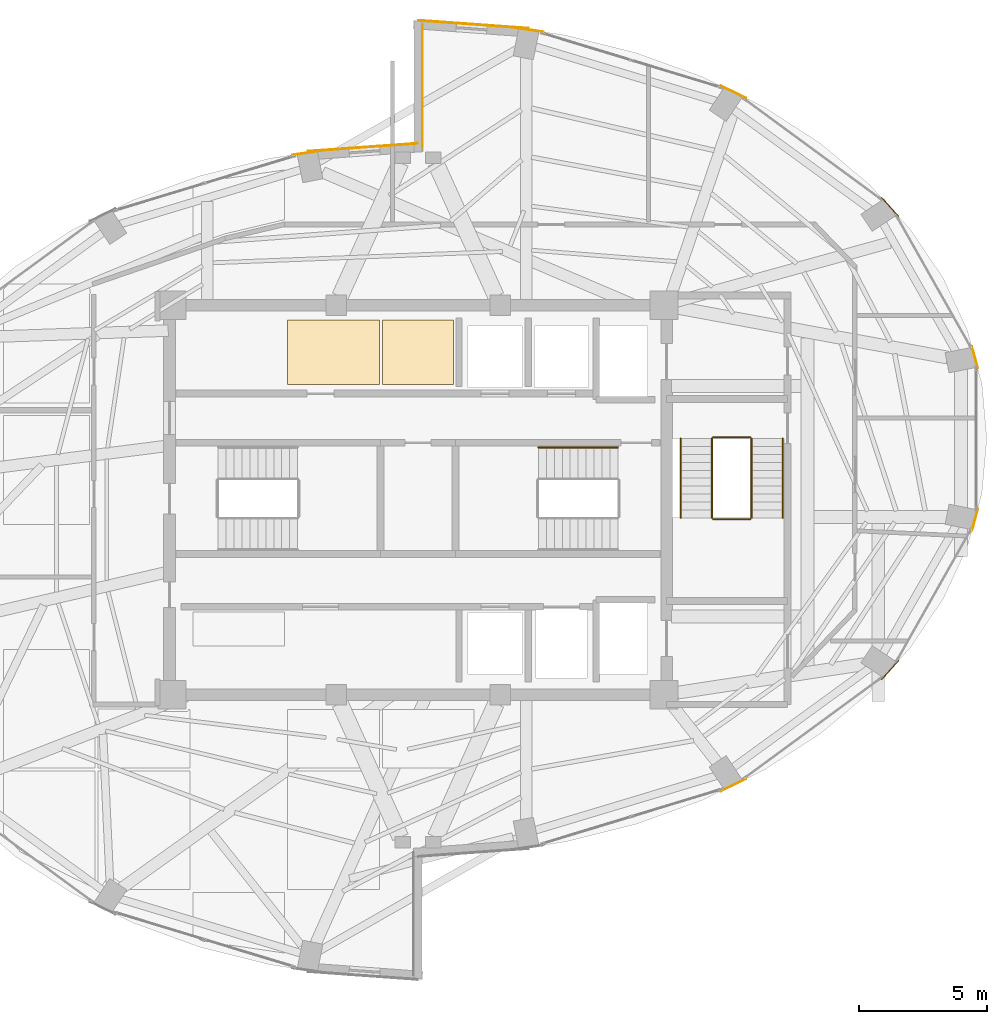
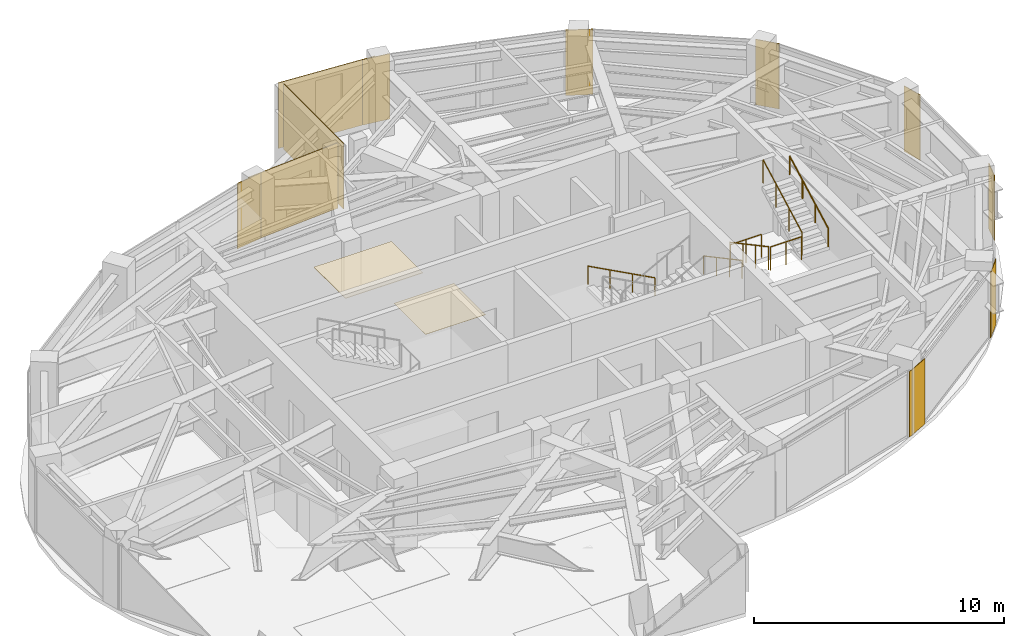
# One storey, part 23 of 23: 13 coverings, 7 railings.
"""IFC4 building model written with IfcOpenShell, lengths in metres."""

from ifc_helpers import new_model, si_unit, direction, frame, origin, origin_2d, place, context, subcontext, project, spatial, polyline, rectangle, circle, outline, extrude, material, layer, layer_set, type_object, element, save


model = new_model("IFC4")

# Units and contexts
model_context = context("Model", 3, precision=1e-05, world=origin(), true_north=direction((0.0, 1.0)))
body_context = subcontext(model_context, "Body", "Model", "MODEL_VIEW")
ifc_project = project(units=[si_unit("LENGTHUNIT", "METRE"), si_unit("AREAUNIT", "SQUARE_METRE"), si_unit("VOLUMEUNIT", "CUBIC_METRE"), si_unit("PLANEANGLEUNIT", "RADIAN"), si_unit("MASSUNIT", "GRAM", prefix="KILO")], contexts=[model_context])

# Site, building, storey
site_placement = place(None, origin())
site = spatial("IfcSite", under=ifc_project, at=site_placement, CompositionType="ELEMENT")
building_placement = place(site_placement, origin())
building = spatial("IfcBuilding", under=site, at=building_placement, Name="Lazwardi Medical Tower", CompositionType="ELEMENT")
storey_placement = place(building_placement, frame((0.0, 0.0, 265.968017578125)))
storey = spatial("IfcBuildingStorey", under=building, at=storey_placement, Name="L69", CompositionType="ELEMENT", Elevation=265.968017578125)

# Coverings
ifc_material_1 = material(Name="Anodised bronze aluminium cassette cladding", Category="aluminium")
ifc_layer_1 = layer(ifc_material_1, 0.030029296875)
ifc_layer_set_1 = layer_set([ifc_layer_1], Name="Anodised bronze aluminium cassette cladding")
covering_type_1 = type_object("IfcCoveringType", Name="COV-CLD-BRZ", PredefinedType="CLADDING", material=ifc_layer_set_1)
covering_1_placement = place(storey_placement, frame((48.311279296875, 16.878662109375, 0.0), z_axis=(0.0, 0.0, 1.0), x_axis=(0.897840141691, 0.440321564278, 0.0)))
element("IfcCovering", 1, at=covering_1_placement, inside=storey, type_object=covering_type_1, Name="L69 Mega-column bronze cassette cover M02", PredefinedType="CLADDING", context=body_context, shape_type="SweptSolid", body=[
    extrude(rectangle(XDim=1.110595703125, YDim=0.030029296875, at=origin_2d()), origin(), (0.0, 0.0, 1.0), 3.197998046875),
])
covering_2_placement = place(storey_placement, frame((54.42529296875, 21.365234375, 0.0), z_axis=(0.0, 0.0, 1.0), x_axis=(0.673240970654, 0.739423150458, 0.0)))
element("IfcCovering", 2, at=covering_2_placement, inside=storey, type_object=covering_type_1, Name="L69 Mega-column bronze cassette cover M03", PredefinedType="CLADDING", context=body_context, shape_type="SweptSolid", body=[
    extrude(rectangle(XDim=0.98974609375, YDim=0.030029296875, at=origin_2d()), origin(), (0.0, 0.0, 1.0), 3.197998046875),
])
for number, where, z_axis, x_axis, name in (
    (3, (57.734130859375, 27.227294921875, 0.0), (0.0, 0.0, 1.0), (0.261641748247, 0.96516506131, 0.0), "L69 Mega-column bronze cassette cover M04"),
    (4, (57.734130859375, 33.572509765625, 0.0), (0.0, 0.0, 1.0), (-0.261641748247, 0.96516506131, 0.0), "L69 Mega-column bronze cassette cover M05"),
):
    element("IfcCovering", number, at=place(storey_placement, frame(where, z_axis=z_axis, x_axis=x_axis)), inside=storey, type_object=covering_type_1, Name=name, PredefinedType="CLADDING", context=body_context, shape_type="SweptSolid", body=[
        extrude(rectangle(XDim=0.894287109375, YDim=0.030029296875, at=origin_2d()), origin(), (0.0, 0.0, 1.0), 3.197998046875),
    ])
covering_3_placement = place(storey_placement, frame((54.42529296875, 39.434814453125, 0.0), z_axis=(0.0, 0.0, 1.0), x_axis=(-0.673240970654, 0.739423150458, 0.0)))
element("IfcCovering", 5, at=covering_3_placement, inside=storey, type_object=covering_type_1, Name="L69 Mega-column bronze cassette cover M06", PredefinedType="CLADDING", context=body_context, shape_type="SweptSolid", body=[
    extrude(rectangle(XDim=0.98974609375, YDim=0.030029296875, at=origin_2d()), origin(), (0.0, 0.0, 1.0), 3.197998046875),
])
covering_4_placement = place(storey_placement, frame((48.311279296875, 43.92138671875, 0.0), z_axis=(0.0, 0.0, 1.0), x_axis=(-0.897840141691, 0.440321564278, 0.0)))
element("IfcCovering", 6, at=covering_4_placement, inside=storey, type_object=covering_type_1, Name="L69 Mega-column bronze cassette cover M07", PredefinedType="CLADDING", context=body_context, shape_type="SweptSolid", body=[
    extrude(rectangle(XDim=1.110595703125, YDim=0.030029296875, at=origin_2d()), origin(), (0.0, 0.0, 1.0), 3.197998046875),
])
for number, where, z_axis, x_axis, name in (
    (7, (40.3232421875, 46.349609375, 0.0), (0.0, 0.0, 1.0), (-0.989512431533, 0.144447733943, 0.0), "L69 Mega-column bronze cassette cover M08"),
    (8, (31.6767578125, 41.549560546875, 0.0), (0.0, 0.0, 1.0), (-0.989512431533, -0.144447733943, 0.0), "L69 Mega-column bronze cassette cover M09"),
):
    element("IfcCovering", number, at=place(storey_placement, frame(where, z_axis=z_axis, x_axis=x_axis)), inside=storey, type_object=covering_type_1, Name=name, PredefinedType="CLADDING", context=body_context, shape_type="SweptSolid", body=[
        extrude(rectangle(XDim=1.188720703125, YDim=0.030029296875, at=origin_2d()), origin(), (0.0, 0.0, 1.0), 3.197998046875),
    ])
ifc_material_2 = material(Name="Turquoise glazed ceramic tilework cladding", Category="masonry")
ifc_layer_2 = layer(ifc_material_2, 0.034912109375)
ifc_layer_set_2 = layer_set([ifc_layer_2], Name="Turquoise glazed ceramic tilework cladding")
covering_type_2 = type_object("IfcCoveringType", Name="COV-CLD-TRQ", PredefinedType="CLADDING", material=ifc_layer_set_2)
covering_5_placement = place(storey_placement, frame((38.16259765625, 46.56005859375, 0.0), z_axis=(0.0, 0.0, 1.0), x_axis=(-0.997409491337, 0.071932653157, 0.0)))
element("IfcCovering", 9, at=covering_5_placement, inside=storey, type_object=covering_type_2, Name="L69 Turquoise glazed ceramic tilework cladding", PredefinedType="CLADDING", context=body_context, shape_type="SweptSolid", body=[
    extrude(rectangle(XDim=4.31103515625, YDim=0.034912109375, at=origin_2d()), origin(), (0.0, 0.0, 1.0), 3.197998046875),
])
covering_6_placement = place(storey_placement, frame((33.83740234375, 41.760009765625, 0.0), z_axis=(0.0, 0.0, 1.0), x_axis=(-0.997408989128, -0.071939616387, 0.0)))
element("IfcCovering", 10, at=covering_6_placement, inside=storey, type_object=covering_type_2, Name="L69 Turquoise glazed ceramic tilework cladding", PredefinedType="CLADDING", context=body_context, shape_type="SweptSolid", body=[
    extrude(rectangle(XDim=4.310546875, YDim=0.034912109375, at=origin_2d()), origin(), (0.0, 0.0, 1.0), 3.197998046875),
])
covering_7_placement = place(storey_placement, frame((36.175537109375, 44.139892578125, 0.0), z_axis=(0.0, 0.0, 1.0), x_axis=(0.0, -1.0, 0.0)))
element("IfcCovering", 11, at=covering_7_placement, inside=storey, type_object=covering_type_2, Name="L69 Turquoise glazed ceramic tilework iwan panel", PredefinedType="CLADDING", context=body_context, shape_type="SweptSolid", body=[
    extrude(rectangle(XDim=4.800048828125, YDim=0.034912109375, at=origin_2d()), origin(), (0.0, 0.0, 1.0), 3.197998046875),
])
ifc_material_3 = material(Name="Acoustic mineral fibre tile")
ifc_layer_3 = layer(ifc_material_3, 0.02490234375)
ifc_layer_set_3 = layer_set([ifc_layer_3], Name="Acoustic mineral fibre tile")
covering_type_3 = type_object("IfcCoveringType", Name="COV-CLG-01", PredefinedType="CEILING", material=ifc_layer_set_3)
covering_8_placement = place(storey_placement, frame((0.0, 0.0, 3.052978515625)))
element("IfcCovering", 12, at=covering_8_placement, inside=storey, type_object=covering_type_3, Name="L69 Clinical Acoustic Ceiling 10", PredefinedType="CEILING", context=body_context, shape_type="SweptSolid", body=[
    extrude(outline(polyline([(34.492919921875, 35.02001953125), (30.912841796875, 35.02001953125), (30.912841796875, 32.5), (34.492919921875, 32.5), (34.492919921875, 35.02001953125)])), origin(), (0.0, 0.0, 1.0), 0.02490234375),
])
ifc_material_4 = material(Name="Anti-static hospital vinyl sheet flooring")
ifc_layer_4 = layer(ifc_material_4, 0.014892578125)
ifc_layer_set_4 = layer_set([ifc_layer_4], Name="Anti-static hospital vinyl sheet flooring")
covering_type_4 = type_object("IfcCoveringType", Name="COV-FLR-01", PredefinedType="FLOORING", material=ifc_layer_set_4)
covering_9_placement = place(storey_placement, origin())
element("IfcCovering", 13, at=covering_9_placement, inside=storey, type_object=covering_type_4, Name="L69 Clinical Vinyl Flooring 10", PredefinedType="FLOORING", context=body_context, shape_type="SweptSolid", body=[
    extrude(outline(polyline([(34.61279296875, 32.5), (37.389892578125, 32.5), (37.389892578125, 35.02001953125), (34.61279296875, 35.02001953125), (34.61279296875, 32.5)])), origin(), (0.0, 0.0, 1.0), 0.014892578125),
])

# Railings
ifc_material_5 = material(Name="Stainless steel Grade 316", Category="steel")
railing_type_1 = type_object("IfcRailingType", Name="RLG-GRD-1150", PredefinedType="GUARDRAIL", material=ifc_material_5)
railing_1_placement = place(storey_placement, frame((47.469970703125, 30.39990234375, 0.165771484375)))
element("IfcRailing", 14, at=railing_1_placement, inside=storey, type_object=railing_type_1, Name="L69 ST3 stair guard 1", PredefinedType="GUARDRAIL", context=body_context, shape_type="SweptSolid", body=[
    extrude(circle(Radius=0.02392578125, at=origin_2d()), frame((0.0, 0.0, 1.1259765625), z_axis=(0.0, -0.881767849116, 0.471683644262), x_axis=(1.0, 0.0, 0.0)), (0.0, 0.0, 1.0), 3.515380859375),
    extrude(circle(Radius=0.02099609375, at=origin_2d()), origin(), (0.0, 0.0, 1.0), 1.099853515625),
    extrude(circle(Radius=0.02099609375, at=origin_2d()), frame((0.0, -1.033203125, 0.552734375)), (0.0, 0.0, 1.0), 1.099853515625),
    extrude(circle(Radius=0.02099609375, at=origin_2d()), frame((0.0, -2.066650390625, 1.10546875)), (0.0, 0.0, 1.0), 1.099853515625),
    extrude(circle(Radius=0.02099609375, at=origin_2d()), frame((0.0, -3.099853515625, 1.658203125)), (0.0, 0.0, 1.0), 1.099853515625),
])
railing_2_placement = place(storey_placement, frame((47.52001953125, 27.25, 1.823974609375)))
element("IfcRailing", 15, at=railing_2_placement, inside=storey, type_object=railing_type_1, Name="L69 ST3 stair guard 2", PredefinedType="GUARDRAIL", context=body_context, shape_type="SweptSolid", body=[
    extrude(circle(Radius=0.02392578125, at=origin_2d()), frame((0.0, 0.0, 1.1259765625), z_axis=(1.0, 0.0, 0.0), x_axis=(0.0, 1.0, 0.0)), (0.0, 0.0, 1.0), 1.43994140625),
    extrude(circle(Radius=0.02099609375, at=origin_2d()), origin(), (0.0, 0.0, 1.0), 1.099853515625),
    extrude(circle(Radius=0.02099609375, at=origin_2d()), frame((0.719970703125, 0.0, 0.0)), (0.0, 0.0, 1.0), 1.099853515625),
    extrude(circle(Radius=0.02099609375, at=origin_2d()), frame((1.43994140625, 0.0, 0.0)), (0.0, 0.0, 1.0), 1.099853515625),
])
railing_3_placement = place(storey_placement, frame((49.010009765625, 27.300048828125, 1.98974609375)))
element("IfcRailing", 16, at=railing_3_placement, inside=storey, type_object=railing_type_1, Name="L69 ST3 stair guard 3", PredefinedType="GUARDRAIL", context=body_context, shape_type="SweptSolid", body=[
    extrude(circle(Radius=0.02392578125, at=origin_2d()), frame((0.0, 0.0, 1.1259765625), z_axis=(0.0, 0.881767849116, 0.471683644262), x_axis=(-1.0, 0.0, 0.0)), (0.0, 0.0, 1.0), 3.515380859375),
    extrude(circle(Radius=0.02099609375, at=origin_2d()), origin(), (0.0, 0.0, 1.0), 1.099853515625),
    extrude(circle(Radius=0.02099609375, at=origin_2d()), frame((0.0, 1.033203125, 0.552734375)), (0.0, 0.0, 1.0), 1.099853515625),
    extrude(circle(Radius=0.02099609375, at=origin_2d()), frame((0.0, 2.066650390625, 1.10546875)), (0.0, 0.0, 1.0), 1.099853515625),
    extrude(circle(Radius=0.02099609375, at=origin_2d()), frame((0.0, 3.099853515625, 1.658203125)), (0.0, 0.0, 1.0), 1.099853515625),
])
railing_4_placement = place(storey_placement, frame((47.52001953125, 30.449951171875, 0.0)))
element("IfcRailing", 17, at=railing_4_placement, inside=storey, type_object=railing_type_1, Name="L69 ST3 stair guard 4", PredefinedType="GUARDRAIL", context=body_context, shape_type="SweptSolid", body=[
    extrude(circle(Radius=0.02392578125, at=origin_2d()), frame((0.0, 0.0, 1.1259765625), z_axis=(1.0, 0.0, 0.0), x_axis=(0.0, 1.0, 0.0)), (0.0, 0.0, 1.0), 1.43994140625),
    extrude(circle(Radius=0.02099609375, at=origin_2d()), origin(), (0.0, 0.0, 1.0), 1.099853515625),
    extrude(circle(Radius=0.02099609375, at=origin_2d()), frame((0.719970703125, 0.0, 0.0)), (0.0, 0.0, 1.0), 1.099853515625),
    extrude(circle(Radius=0.02099609375, at=origin_2d()), frame((1.43994140625, 0.0, 0.0)), (0.0, 0.0, 1.0), 1.099853515625),
])
railing_type_2 = type_object("IfcRailingType", Name="RLG-HND-920", PredefinedType="HANDRAIL", material=ifc_material_5)
railing_5_placement = place(storey_placement, frame((43.800048828125, 30.050048828125, 0.165771484375)))
element("IfcRailing", 18, at=railing_5_placement, inside=storey, type_object=railing_type_2, Name="L69 ST2 stair handrail 1", PredefinedType="HANDRAIL", context=body_context, shape_type="SweptSolid", body=[
    extrude(circle(Radius=0.02392578125, at=origin_2d()), frame((0.0, 0.0, 0.8857421875), z_axis=(-0.881783298633, 0.0, 0.471654761719), x_axis=(0.0, -1.0, 0.0)), (0.0, 0.0, 1.0), 3.515625),
    extrude(circle(Radius=0.02099609375, at=origin_2d()), origin(), (0.0, 0.0, 1.0), 0.85986328125),
    extrude(circle(Radius=0.02099609375, at=origin_2d()), frame((-1.033447265625, 0.0, 0.552734375)), (0.0, 0.0, 1.0), 0.85986328125),
    extrude(circle(Radius=0.02099609375, at=origin_2d()), frame((-2.066650390625, 0.0, 1.10546875)), (0.0, 0.0, 1.0), 0.85986328125),
    extrude(circle(Radius=0.02099609375, at=origin_2d()), frame((-3.10009765625, 0.0, 1.658203125)), (0.0, 0.0, 1.0), 0.85986328125),
])
railing_6_placement = place(storey_placement, frame((46.25, 30.39990234375, 0.165771484375)))
element("IfcRailing", 19, at=railing_6_placement, inside=storey, type_object=railing_type_2, Name="L69 ST3 stair handrail 1", PredefinedType="HANDRAIL", context=body_context, shape_type="SweptSolid", body=[
    extrude(circle(Radius=0.02392578125, at=origin_2d()), frame((0.0, 0.0, 0.8857421875), z_axis=(0.0, -0.881767849116, 0.471683644262), x_axis=(1.0, 0.0, 0.0)), (0.0, 0.0, 1.0), 3.515380859375),
    extrude(circle(Radius=0.02099609375, at=origin_2d()), origin(), (0.0, 0.0, 1.0), 0.85986328125),
    extrude(circle(Radius=0.02099609375, at=origin_2d()), frame((0.0, -1.033203125, 0.552734375)), (0.0, 0.0, 1.0), 0.85986328125),
    extrude(circle(Radius=0.02099609375, at=origin_2d()), frame((0.0, -2.066650390625, 1.10546875)), (0.0, 0.0, 1.0), 0.85986328125),
    extrude(circle(Radius=0.02099609375, at=origin_2d()), frame((0.0, -3.099853515625, 1.658203125)), (0.0, 0.0, 1.0), 0.85986328125),
])
railing_7_placement = place(storey_placement, frame((50.22998046875, 27.300048828125, 1.98974609375)))
element("IfcRailing", 20, at=railing_7_placement, inside=storey, type_object=railing_type_2, Name="L69 ST3 stair handrail 2", PredefinedType="HANDRAIL", context=body_context, shape_type="SweptSolid", body=[
    extrude(circle(Radius=0.02392578125, at=origin_2d()), frame((0.0, 0.0, 0.8857421875), z_axis=(0.0, 0.881767849116, 0.471683644262), x_axis=(-1.0, 0.0, 0.0)), (0.0, 0.0, 1.0), 3.515380859375),
    extrude(circle(Radius=0.02099609375, at=origin_2d()), origin(), (0.0, 0.0, 1.0), 0.85986328125),
    extrude(circle(Radius=0.02099609375, at=origin_2d()), frame((0.0, 1.033203125, 0.552734375)), (0.0, 0.0, 1.0), 0.85986328125),
    extrude(circle(Radius=0.02099609375, at=origin_2d()), frame((0.0, 2.066650390625, 1.10546875)), (0.0, 0.0, 1.0), 0.85986328125),
    extrude(circle(Radius=0.02099609375, at=origin_2d()), frame((0.0, 3.099853515625, 1.658203125)), (0.0, 0.0, 1.0), 0.85986328125),
])

save(model, "model.ifc")
